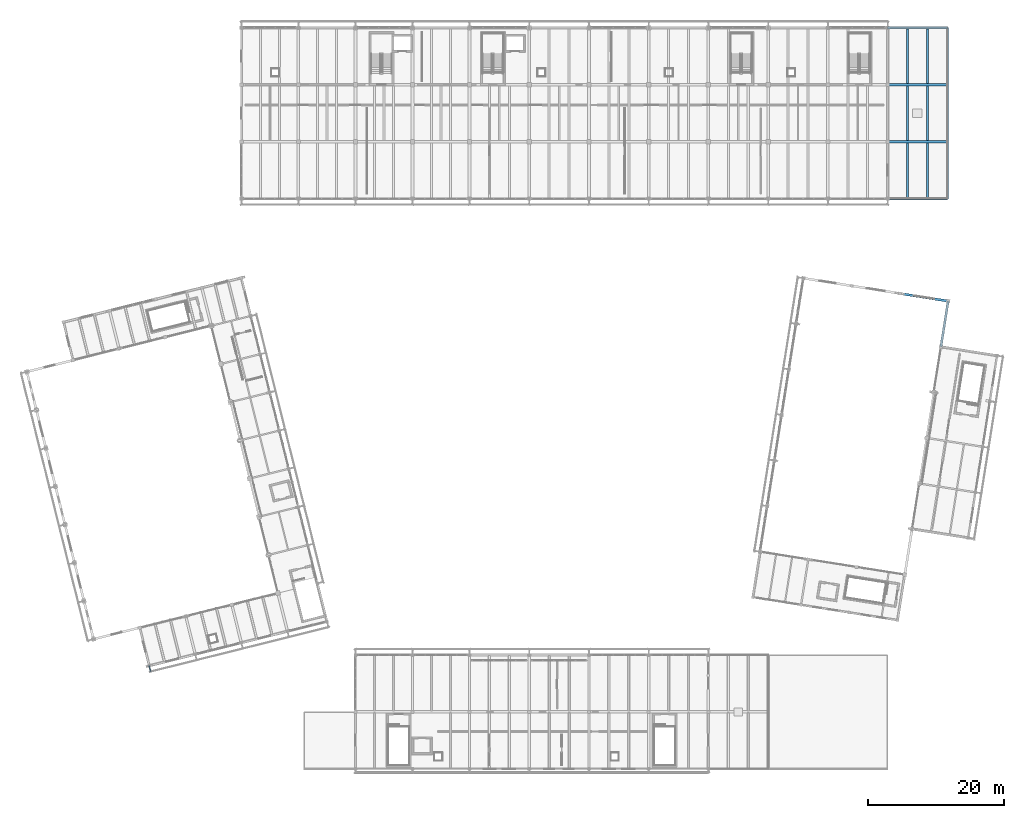
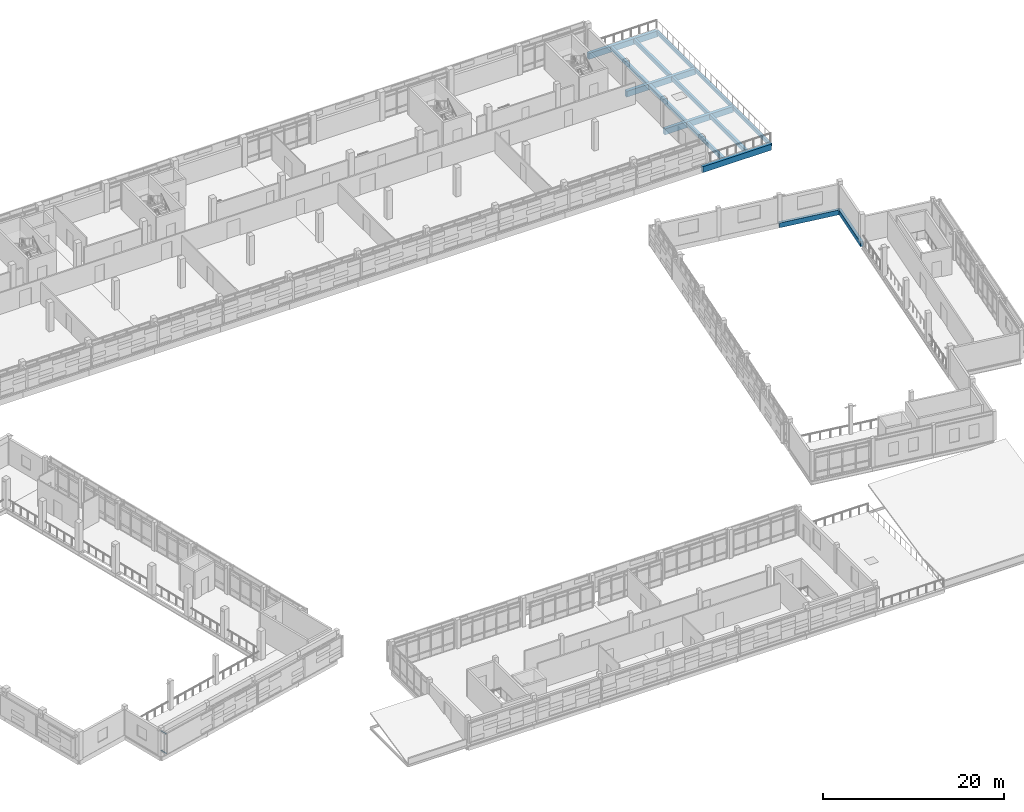
# One storey, part 78 of 117: 15 beams, 2 members.
"""IFC4 building model written with IfcOpenShell, lengths in metres."""

from ifc_helpers import new_model, si_unit, direction, frame, origin, origin_2d, place, context, subcontext, project, spatial, rectangle, hollow_circle, extrude, material, material_profile, profile_set, type_object, element, save


model = new_model("IFC4")

# Units and contexts
model_context = context("Model", 3, precision=1e-05, world=origin(), true_north=direction((0.0, 1.0)))
body_context = subcontext(model_context, "Body", "Model", "MODEL_VIEW")
ifc_project = project(units=[si_unit("LENGTHUNIT", "METRE"), si_unit("AREAUNIT", "SQUARE_METRE"), si_unit("VOLUMEUNIT", "CUBIC_METRE"), si_unit("PLANEANGLEUNIT", "RADIAN"), si_unit("MASSUNIT", "GRAM", prefix="KILO")], contexts=[model_context])

# Site, building, storey
site_placement = place(None, origin())
site = spatial("IfcSite", under=ifc_project, at=site_placement, CompositionType="ELEMENT")
building_placement = place(site_placement, origin())
building = spatial("IfcBuilding", under=site, at=building_placement, Name="Cinderway Yard Community Centre", CompositionType="ELEMENT")
storey_placement = place(building_placement, frame((0.0, 0.0, 9.0)))
storey = spatial("IfcBuildingStorey", under=building, at=storey_placement, Name="L02", CompositionType="ELEMENT", Elevation=9.0)

# Beams
ifc_material_1 = material(Name="Concrete C40/50", Category="concrete")
ifc_material_profile_1 = material_profile(ifc_material_1, rectangle(XDim=0.25, YDim=0.449951171875, at=origin_2d()), Name="Concrete C40/50")
ifc_profile_set_1 = profile_set([ifc_material_profile_1], Name="Concrete C40/50")
beam_type_1 = type_object("IfcBeamType", Name="STR-BM-RC250X450", PredefinedType="SPANDREL", material=ifc_profile_set_1)
beam_1_placement = place(storey_placement, frame((145.60009765625, 90.0, -0.465087890625), z_axis=(0.0, 1.0, 0.0), x_axis=(-1.0, 0.0, 0.0)))
element("IfcBeam", 1, at=beam_1_placement, inside=storey, type_object=beam_type_1, Name="Transverse girder STR-BM-L02-SP02-0580", PredefinedType="SPANDREL", context=body_context, shape_type="SweptSolid", body=[
    extrude(rectangle(XDim=0.25, YDim=0.449951171875, at=origin_2d()), origin(), (0.0, 0.0, 1.0), 8.39990234375),
])
beam_2_placement = place(storey_placement, frame((145.60009765625, 98.39990234375, -0.465087890625), z_axis=(0.0, 1.0, 0.0), x_axis=(-1.0, 0.0, 0.0)))
element("IfcBeam", 2, at=beam_2_placement, inside=storey, type_object=beam_type_1, Name="Transverse girder STR-BM-L02-SP02-0581", PredefinedType="SPANDREL", context=body_context, shape_type="SweptSolid", body=[
    extrude(rectangle(XDim=0.25, YDim=0.449951171875, at=origin_2d()), origin(), (0.0, 0.0, 1.0), 8.400146484375),
])
beam_3_placement = place(storey_placement, frame((145.60009765625, 106.800048828125, -0.465087890625), z_axis=(0.0, 1.0, 0.0), x_axis=(-1.0, 0.0, 0.0)))
element("IfcBeam", 3, at=beam_3_placement, inside=storey, type_object=beam_type_1, Name="Transverse girder STR-BM-L02-SP02-0582", PredefinedType="SPANDREL", context=body_context, shape_type="SweptSolid", body=[
    extrude(rectangle(XDim=0.25, YDim=0.449951171875, at=origin_2d()), origin(), (0.0, 0.0, 1.0), 8.39990234375),
])
ifc_material_2 = material(Name="Concrete C35/45", Category="concrete")
ifc_material_profile_2 = material_profile(ifc_material_2, rectangle(XDim=0.300048828125, YDim=0.550048828125, at=origin_2d()), Name="Concrete C35/45")
ifc_profile_set_2 = profile_set([ifc_material_profile_2], Name="Concrete C35/45")
beam_type_2 = type_object("IfcBeamType", Name="STR-BM-RC300X550", PredefinedType="JOIST", material=ifc_profile_set_2)
for number, where, z_axis, x_axis, name in (
    (4, (139.73291015625, 90.181884765625, -0.514892578125), (0.0, 1.0, 0.0), (-1.0, 0.0, 0.0), "Secondary joist STR-BM-L02-BJ03-0643"),
    (5, (142.6669921875, 90.181884765625, -0.514892578125), (0.0, 1.0, 0.0), (-1.0, 0.0, 0.0), "Secondary joist STR-BM-L02-BJ03-0644"),
):
    element("IfcBeam", number, at=place(storey_placement, frame(where, z_axis=z_axis, x_axis=x_axis)), inside=storey, type_object=beam_type_2, Name=name, PredefinedType="JOIST", context=body_context, shape_type="SweptSolid", body=[
        extrude(rectangle(XDim=0.300048828125, YDim=0.550048828125, at=origin_2d()), origin(), (0.0, 0.0, 1.0), 8.0361328125),
    ])
for number, where, z_axis, x_axis, name in (
    (6, (139.73291015625, 98.58203125, -0.514892578125), (0.0, 1.0, 0.0), (-1.0, 0.0, 0.0), "Secondary joist STR-BM-L02-BJ03-0645"),
    (7, (142.6669921875, 98.58203125, -0.514892578125), (0.0, 1.0, 0.0), (-1.0, 0.0, 0.0), "Secondary joist STR-BM-L02-BJ03-0646"),
):
    element("IfcBeam", number, at=place(storey_placement, frame(where, z_axis=z_axis, x_axis=x_axis)), inside=storey, type_object=beam_type_2, Name=name, PredefinedType="JOIST", context=body_context, shape_type="SweptSolid", body=[
        extrude(rectangle(XDim=0.300048828125, YDim=0.550048828125, at=origin_2d()), origin(), (0.0, 0.0, 1.0), 8.035888671875),
    ])
for number, where, z_axis, x_axis, name in (
    (8, (139.73291015625, 106.98193359375, -0.514892578125), (0.0, 1.0, 0.0), (-1.0, 0.0, 0.0), "Secondary joist STR-BM-L02-BJ03-0647"),
    (9, (142.6669921875, 106.98193359375, -0.514892578125), (0.0, 1.0, 0.0), (-1.0, 0.0, 0.0), "Secondary joist STR-BM-L02-BJ03-0648"),
):
    element("IfcBeam", number, at=place(storey_placement, frame(where, z_axis=z_axis, x_axis=x_axis)), inside=storey, type_object=beam_type_2, Name=name, PredefinedType="JOIST", context=body_context, shape_type="SweptSolid", body=[
        extrude(rectangle(XDim=0.300048828125, YDim=0.550048828125, at=origin_2d()), origin(), (0.0, 0.0, 1.0), 8.0361328125),
    ])
ifc_material_profile_3 = material_profile(ifc_material_2, rectangle(XDim=0.35009765625, YDim=0.64990234375, at=origin_2d()), Name="Concrete C35/45")
ifc_profile_set_3 = profile_set([ifc_material_profile_3], Name="Concrete C35/45")
beam_type_3 = type_object("IfcBeamType", Name="STR-BM-RC350X650", PredefinedType="BEAM", material=ifc_profile_set_3)
beam_4_placement = place(storey_placement, frame((138.60498046875, 76.044921875, -0.324951171875), z_axis=(0.987698277051, -0.156371715827, 0.0), x_axis=(0.156371715827, 0.987698277051, 0.0)))
element("IfcBeam", 10, at=beam_4_placement, inside=storey, type_object=beam_type_3, Name="Sports Hall north ring beam STR-BM-L02-BG08-0430", PredefinedType="BEAM", context=body_context, shape_type="SweptSolid", body=[
    extrude(rectangle(XDim=0.35009765625, YDim=0.64990234375, at=origin_2d()), origin(), (0.0, 0.0, 1.0), 7.20068359375),
])
beam_5_placement = place(storey_placement, frame((144.653076171875, 68.201904296875, -0.324951171875), z_axis=(0.156447383815, 0.987686294376, 0.0), x_axis=(-0.987686294376, 0.156447383815, 0.0)))
element("IfcBeam", 11, at=beam_5_placement, inside=storey, type_object=beam_type_3, Name="Sports return girder STR-BM-L02-BG08-0434", PredefinedType="BEAM", context=body_context, shape_type="SweptSolid", body=[
    extrude(rectangle(XDim=0.35009765625, YDim=0.64990234375, at=origin_2d()), origin(), (0.0, 0.0, 1.0), 6.80078125),
])
ifc_material_profile_4 = material_profile(ifc_material_1, rectangle(XDim=0.39990234375, YDim=0.800048828125, at=origin_2d()), Name="Concrete C40/50")
ifc_profile_set_4 = profile_set([ifc_material_profile_4], Name="Concrete C40/50")
beam_type_4 = type_object("IfcBeamType", Name="STR-BM-RC400X800", PredefinedType="BEAM", material=ifc_profile_set_4)
for number, where, z_axis, x_axis, name in (
    (12, (136.800048828125, 90.0, -0.639892578125), (1.0, 0.0, 0.0), (0.0, 1.0, 0.0), "Primary girder STR-BM-L02-BG05-0507"),
    (13, (136.800048828125, 98.39990234375, -0.639892578125), (1.0, 0.0, 0.0), (0.0, 1.0, 0.0), "Primary girder STR-BM-L02-BG05-0519"),
    (14, (136.800048828125, 106.800048828125, -0.639892578125), (1.0, 0.0, 0.0), (0.0, 1.0, 0.0), "Primary girder STR-BM-L02-BG05-0531"),
    (15, (136.800048828125, 115.199951171875, -0.639892578125), (1.0, 0.0, 0.0), (0.0, 1.0, 0.0), "Primary girder STR-BM-L02-BG05-0543"),
):
    element("IfcBeam", number, at=place(storey_placement, frame(where, z_axis=z_axis, x_axis=x_axis)), inside=storey, type_object=beam_type_4, Name=name, PredefinedType="BEAM", context=body_context, shape_type="SweptSolid", body=[
        extrude(rectangle(XDim=0.39990234375, YDim=0.800048828125, at=origin_2d()), origin(), (0.0, 0.0, 1.0), 8.800048828125),
    ])

# Members
ifc_material_3 = material(Name="Steel S355", Category="steel")
ifc_material_profile_5 = material_profile(ifc_material_3, hollow_circle(Radius=0.06982421875, WallThickness=0.00634765625, at=origin_2d()), Name="Steel S355")
ifc_profile_set_5 = profile_set([ifc_material_profile_5], Name="Steel S355")
member_type = type_object("IfcMemberType", Name="STR-MEM-STRUT-CHS140", PredefinedType="STRUT", material=ifc_profile_set_5)
for number, where, z_axis, x_axis, name in (
    (16, (28.0048828125, 21.18310546875, 0.7099609375), (0.242265456216, -0.970210002383, 0.0), (0.970210002383, 0.242265456216, 0.0), "Screen outrigger strut 0557"),
    (17, (28.0048828125, 21.18310546875, 3.340087890625), (0.242265456216, -0.970210002383, 0.0), (0.970210002383, 0.242265456216, 0.0), "Screen outrigger strut 0558"),
):
    element("IfcMember", number, at=place(storey_placement, frame(where, z_axis=z_axis, x_axis=x_axis)), inside=storey, type_object=member_type, Name=name, PredefinedType="STRUT", context=body_context, shape_type="SweptSolid", body=[
        extrude(hollow_circle(Radius=0.06982421875, WallThickness=0.00634765625, at=origin_2d()), origin(), (0.0, 0.0, 1.0), 0.8505859375),
    ])

save(model, "model.ifc")
